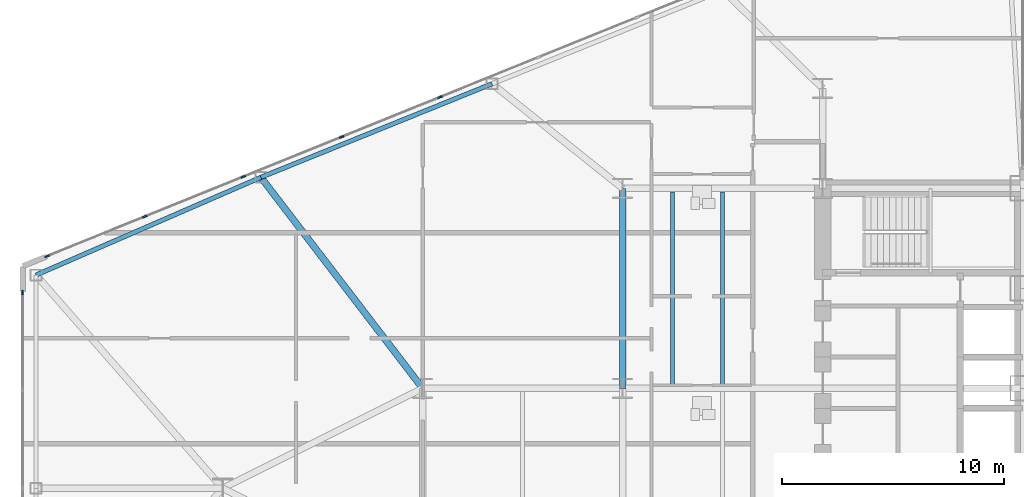
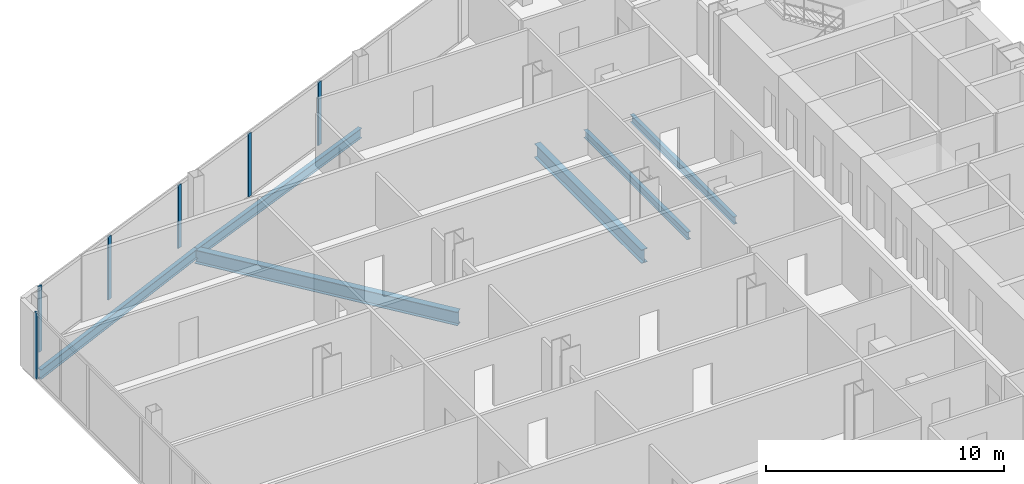
# One storey, part 6 of 25: 6 beams, 6 members, 2 elements without a shape of their own.
"""IFC4 building model written with IfcOpenShell, lengths in metres."""

from ifc_helpers import new_model, si_unit, direction, frame, origin, origin_2d, place, context, subcontext, project, spatial, rectangle, i_section, extrude, source, transform, mapped, material, layer, layer_set, material_profile, profile_set, type_object, type_shapes, element, aggregate, save


model = new_model("IFC4")

# Units and contexts
model_context = context("Model", 3, precision=1e-05, world=origin(), true_north=direction((0.0, 1.0)))
body_context = subcontext(model_context, "Body", "Model", "MODEL_VIEW")
ifc_project = project(units=[si_unit("LENGTHUNIT", "METRE"), si_unit("AREAUNIT", "SQUARE_METRE"), si_unit("VOLUMEUNIT", "CUBIC_METRE"), si_unit("PLANEANGLEUNIT", "RADIAN"), si_unit("MASSUNIT", "GRAM", prefix="KILO")], contexts=[model_context])

# Site, building, storey
site_placement = place(None, origin())
site = spatial("IfcSite", under=ifc_project, at=site_placement, CompositionType="ELEMENT")
building_placement = place(site_placement, origin())
building = spatial("IfcBuilding", under=site, at=building_placement, Name="Seokmaru Belvedere", CompositionType="ELEMENT")
storey_placement = place(building_placement, frame((0.0, 0.0, 33.300048828125)))
storey = spatial("IfcBuildingStorey", under=building, at=storey_placement, Name="L08", CompositionType="ELEMENT", Elevation=33.300048828125)

# Beams
ifc_material_1 = material(Name="Steel SM355 (355 MPa)", Category="steel")
ifc_material_profile_1 = material_profile(ifc_material_1, i_section(OverallWidth=0.300048828125, OverallDepth=0.699951171875, WebThickness=0.012939453125, FlangeThickness=0.02392578125, at=origin_2d()), Name="H-700x300x13x24")
ifc_profile_set_1 = profile_set([ifc_material_profile_1], Name="Steel SM355 (355 MPa)")
beam_type_1 = type_object("IfcBeamType", Name="Primary Floor Girder H-700", PredefinedType="BEAM", material=ifc_profile_set_1)
shared_shape_1 = source(origin(), body_context, "Body", "SweptSolid", [
    extrude(i_section(OverallWidth=0.300048828125, OverallDepth=0.699951171875, WebThickness=0.012939453125, FlangeThickness=0.02392578125, at=origin_2d()), origin(), (0.0, 0.0, 1.0), 9.0),
])
beam_1_placement = place(storey_placement, frame((-45.5, 4.5, -0.570068359375), z_axis=(0.0, 1.0, 0.0), x_axis=(-1.0, 0.0, 0.0)))
element("IfcBeam", 1, at=beam_1_placement, inside=storey, type_object=beam_type_1, Name="L08 W Interior Grid Girder 3", PredefinedType="BEAM", context=body_context, shape_type="MappedRepresentation", body=[
    mapped(shared_shape_1, transform((0.0, 0.0, 0.0), scale=1.0)),
])
ifc_material_profile_2 = material_profile(ifc_material_1, i_section(OverallWidth=0.18505859375, OverallDepth=0.389892578125, WebThickness=0.008056640625, FlangeThickness=0.011962890625, at=origin_2d()), Name="H-390x185x8x12")
ifc_profile_set_2 = profile_set([ifc_material_profile_2], Name="Steel SM355 (355 MPa)")
beam_type_2 = type_object("IfcBeamType", Name="Secondary Floor Joist H-350", PredefinedType="JOIST", material=ifc_profile_set_2)
shared_shape_2 = source(origin(), body_context, "Body", "SweptSolid", [
    extrude(i_section(OverallWidth=0.18505859375, OverallDepth=0.389892578125, WebThickness=0.008056640625, FlangeThickness=0.011962890625, at=origin_2d()), origin(), (0.0, 0.0, 1.0), 8.68994140625),
])
type_shapes(beam_type_2, [shared_shape_2])
for number, where, z_axis, x_axis, name in (
    (2, (-43.25, 4.655029296875, -0.4150390625), (0.0, 1.0, 0.0), (-1.0, 0.0, 0.0), "L08 W Wing Inner Secondary Joist 2"),
    (3, (-41.0, 4.655029296875, -0.4150390625), (0.0, 1.0, 0.0), (-1.0, 0.0, 0.0), "L08 W Secondary Floor Joist 3"),
):
    element("IfcBeam", number, at=place(storey_placement, frame(where, z_axis=z_axis, x_axis=x_axis)), inside=storey, type_object=beam_type_2, Name=name, PredefinedType="JOIST", context=body_context, shape_type="MappedRepresentation", body=[
        mapped(shared_shape_2, transform((0.0, 0.0, 0.0), scale=1.0)),
    ])
ifc_material_profile_3 = material_profile(ifc_material_1, i_section(OverallWidth=0.199951171875, OverallDepth=0.5, WebThickness=0.010009765625, FlangeThickness=0.01611328125, at=origin_2d()), Name="H-500x200x10x16")
ifc_profile_set_3 = profile_set([ifc_material_profile_3], Name="Steel SM355 (355 MPa)")
beam_type_3 = type_object("IfcBeamType", Name="Perimeter Spandrel Beam H-500", PredefinedType="SPANDREL", material=ifc_profile_set_3)
shared_shape_3 = source(origin(), body_context, "Body", "SweptSolid", [
    extrude(i_section(OverallWidth=0.199951171875, OverallDepth=0.5, WebThickness=0.010009765625, FlangeThickness=0.01611328125, at=origin_2d()), origin(), (0.0, 0.0, 1.0), 11.220703125),
])
beam_2_placement = place(storey_placement, frame((-51.378173828125, 18.2041015625, -0.469970703125), z_axis=(-0.926944290816, -0.375198989503, 0.0), x_axis=(0.375198989503, -0.926944290816, 0.0)))
element("IfcBeam", 4, at=beam_2_placement, inside=storey, type_object=beam_type_3, Name="L08 W Faceted Flank Spandrel N-3", PredefinedType="SPANDREL", context=body_context, shape_type="MappedRepresentation", body=[
    mapped(shared_shape_3, transform((0.0, 0.0, 0.0), scale=1.0)),
])
shared_shape_4 = source(origin(), body_context, "Body", "SweptSolid", [
    extrude(i_section(OverallWidth=0.199951171875, OverallDepth=0.5, WebThickness=0.010009765625, FlangeThickness=0.01611328125, at=origin_2d()), origin(), (0.0, 0.0, 1.0), 11.035400390625),
])
type_shapes(beam_type_3, [shared_shape_3, shared_shape_4])
beam_3_placement = place(storey_placement, frame((-61.779052734375, 13.994140625, -0.469970703125), z_axis=(-0.917134058682, -0.398578873507, 0.0), x_axis=(0.398578873507, -0.917134058682, 0.0)))
element("IfcBeam", 5, at=beam_3_placement, inside=storey, type_object=beam_type_3, Name="L08 W Faceted Flank Spandrel N-4", PredefinedType="SPANDREL", context=body_context, shape_type="MappedRepresentation", body=[
    mapped(shared_shape_4, transform((0.0, 0.0, 0.0), scale=1.0)),
])
shared_shape_5 = source(origin(), body_context, "Body", "SweptSolid", [
    extrude(i_section(OverallWidth=0.300048828125, OverallDepth=0.699951171875, WebThickness=0.012939453125, FlangeThickness=0.02392578125, at=origin_2d()), origin(), (0.0, 0.0, 1.0), 11.96337890625),
])
type_shapes(beam_type_1, [shared_shape_1, shared_shape_5])
beam_4_placement = place(storey_placement, frame((-61.779052734375, 13.994140625, -0.570068359375), z_axis=(0.608442682624, -0.793597821294, 0.0), x_axis=(0.793597821294, 0.608442682624, 0.0)))
element("IfcBeam", 6, at=beam_4_placement, inside=storey, type_object=beam_type_1, Name="L08 W Flank Radial Floor Girder N-3", PredefinedType="BEAM", context=body_context, shape_type="MappedRepresentation", body=[
    mapped(shared_shape_5, transform((0.0, 0.0, 0.0), scale=1.0)),
])

# Curtain wall, members
ifc_material_2 = material(Name="Bronze Triple Insulating Glass", Category="glass")
ifc_layer = layer(ifc_material_2, 0.2099609375)
ifc_layer_set = layer_set([ifc_layer], Name="Bronze Triple Insulating Glass")
curtain_wall_type = type_object("IfcCurtainWallType", Name="Low-Rise Faceted Crystal Curtain Wall System CW-2", PredefinedType="NOTDEFINED", material=ifc_layer_set)
curtain_wall_1_placement = place(storey_placement, origin())
curtain_wall_1 = element("IfcCurtainWall", 7, at=curtain_wall_1_placement, inside=storey, type_object=curtain_wall_type, Name="L08 Curtain Wall WF3", PredefinedType="NOTDEFINED")
ifc_material_3 = material(Name="Anodised Bronze Aluminium", Category="aluminium")
ifc_material_profile_4 = material_profile(ifc_material_3, rectangle(XDim=0.074951171875, YDim=0.2099609375, at=origin_2d()), Name="CW-M-75x210")
ifc_profile_set_4 = profile_set([ifc_material_profile_4], Name="Anodised Bronze Aluminium")
member_type = type_object("IfcMemberType", Name="Bronze Unitised Mullion 75x210", PredefinedType="MULLION", material=ifc_profile_set_4)
shared_shape_6 = source(origin(), body_context, "Body", "SweptSolid", [
    extrude(rectangle(XDim=0.074951171875, YDim=0.2099609375, at=origin_2d()), origin(), (0.0, 0.0, 1.0), 3.239990234375),
])
member_1_placement = place(storey_placement, frame((-53.71484375, 17.603515625, 0.070068359375), z_axis=(0.0, 0.0, 1.0), x_axis=(0.375192321888, -0.926946989637, 0.0)))
member_1 = element("IfcMember", 8, at=member_1_placement, type_object=member_type, Name="CW:L08:WF3 Mullion 6", PredefinedType="MULLION", context=body_context, shape_type="MappedRepresentation", body=[
    mapped(shared_shape_6, transform((0.0, 0.0, 0.0), scale=1.0)),
])
member_2_placement = place(storey_placement, frame((-58.144775390625, 15.810546875, 0.070068359375), z_axis=(0.0, 0.0, 1.0), x_axis=(0.375192321888, -0.926946989637, 0.0)))
member_2 = element("IfcMember", 9, at=member_2_placement, type_object=member_type, Name="CW:L08:WF3 Mullion 7", PredefinedType="MULLION", context=body_context, shape_type="MappedRepresentation", body=[
    mapped(shared_shape_6, transform((0.0, 0.0, 0.0), scale=1.0)),
])
member_3_placement = place(storey_placement, frame((-62.574462890625, 14.017578125, 0.070068359375), z_axis=(0.0, 0.0, 1.0), x_axis=(0.375192321888, -0.926946989637, 0.0)))
member_3 = element("IfcMember", 10, at=member_3_placement, type_object=member_type, Name="CW:L08:WF3 Mullion 8", PredefinedType="MULLION", context=body_context, shape_type="MappedRepresentation", body=[
    mapped(shared_shape_6, transform((0.0, 0.0, 0.0), scale=1.0)),
])
member_4_placement = place(storey_placement, frame((-67.004150390625, 12.224609375, 0.070068359375), z_axis=(0.0, 0.0, 1.0), x_axis=(0.375192321888, -0.926946989637, 0.0)))
member_4 = element("IfcMember", 11, at=member_4_placement, type_object=member_type, Name="CW:L08:WF3 Mullion 9", PredefinedType="MULLION", context=body_context, shape_type="MappedRepresentation", body=[
    mapped(shared_shape_6, transform((0.0, 0.0, 0.0), scale=1.0)),
])
shared_shape_7 = source(origin(), body_context, "Body", "SweptSolid", [
    extrude(rectangle(XDim=0.074951171875, YDim=0.2099609375, at=origin_2d()), origin(), (0.0, 0.0, 1.0), 3.3798828125),
])
type_shapes(member_type, [shared_shape_6, shared_shape_7])
member_5_placement = place(storey_placement, frame((-71.399169921875, 10.445556640625, 0.0), z_axis=(0.0, 0.0, 1.0), x_axis=(0.375192321888, -0.926946989637, 0.0)))
member_5 = element("IfcMember", 12, at=member_5_placement, type_object=member_type, Name="CW:L08:WF3 Mullion 10", PredefinedType="MULLION", context=body_context, shape_type="MappedRepresentation", body=[
    mapped(shared_shape_7, transform((0.0, 0.0, 0.0), scale=1.0)),
])
aggregate(curtain_wall_1, [member_1, member_2, member_3, member_4, member_5])

# Curtain wall, member
curtain_wall_2_placement = place(storey_placement, origin())
curtain_wall_2 = element("IfcCurtainWall", 13, at=curtain_wall_2_placement, inside=storey, type_object=curtain_wall_type, Name="L08 Curtain Wall WF4", PredefinedType="NOTDEFINED")
member_6_placement = place(storey_placement, frame((-72.5, 8.8125, 0.0), z_axis=(0.0, 0.0, 1.0), x_axis=(1.0, 0.0, 0.0)))
member_6 = element("IfcMember", 14, at=member_6_placement, type_object=member_type, Name="CW:L08:WF4 Mullion 1", PredefinedType="MULLION", context=body_context, shape_type="MappedRepresentation", body=[
    mapped(shared_shape_7, transform((0.0, 0.0, 0.0), scale=1.0)),
])
aggregate(curtain_wall_2, [member_6])

save(model, "model.ifc")
